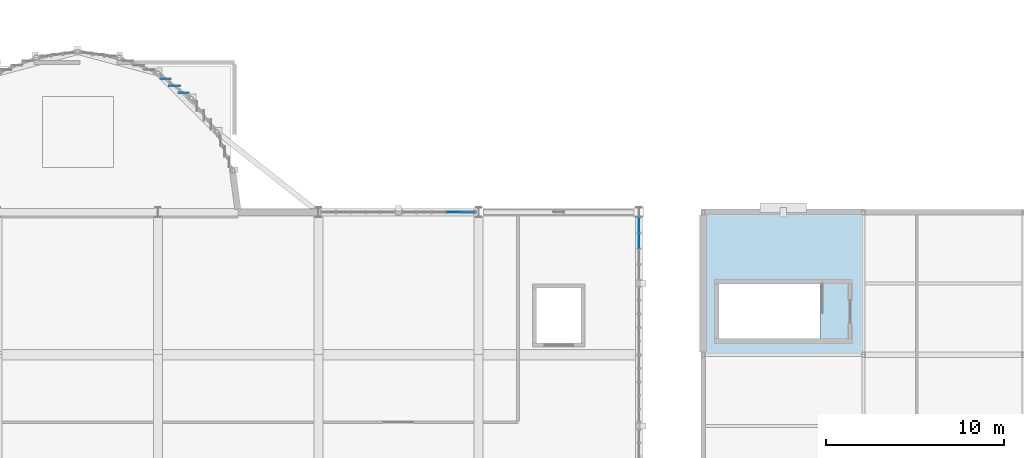
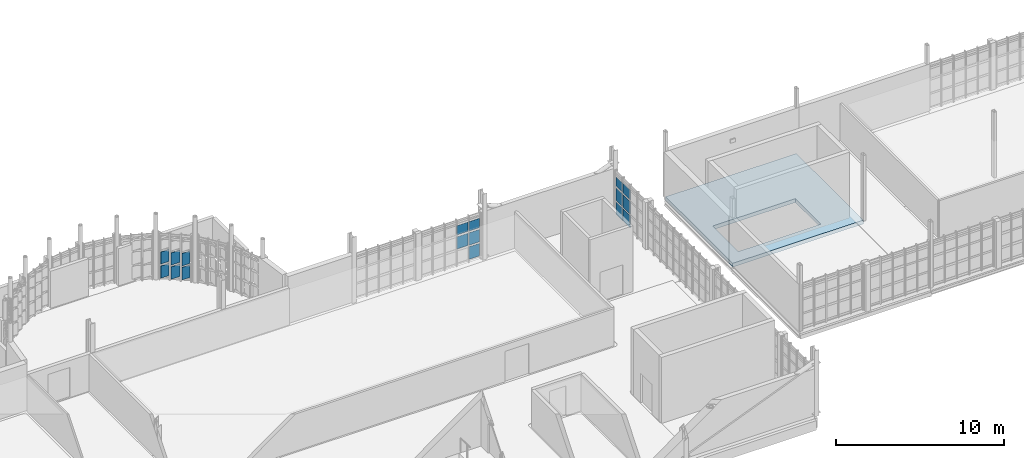
# One storey, part 93 of 128: 17 plates, 1 slab, 3 elements without a shape of their own.
"""IFC4 building model written with IfcOpenShell, lengths in metres."""

from ifc_helpers import new_model, si_unit, direction, frame, origin, origin_2d, place, context, subcontext, project, spatial, polyline, rectangle, outline, extrude, material, layer, layer_set, type_object, element, aggregate, save


model = new_model("IFC4")

# Units and contexts
model_context = context("Model", 3, precision=1e-05, world=origin(), true_north=direction((0.0, 1.0)))
body_context = subcontext(model_context, "Body", "Model", "MODEL_VIEW")
ifc_project = project(units=[si_unit("LENGTHUNIT", "METRE"), si_unit("AREAUNIT", "SQUARE_METRE"), si_unit("VOLUMEUNIT", "CUBIC_METRE"), si_unit("PLANEANGLEUNIT", "RADIAN"), si_unit("MASSUNIT", "GRAM", prefix="KILO")], contexts=[model_context])

# Site, building, storey
site_placement = place(None, origin())
site = spatial("IfcSite", under=ifc_project, at=site_placement, CompositionType="ELEMENT")
building_placement = place(site_placement, origin())
building = spatial("IfcBuilding", under=site, at=building_placement, Name="Serraforn Aerial Cableway Station", CompositionType="ELEMENT")
storey_placement = place(building_placement, frame((0.0, 0.0, 9.0)))
storey = spatial("IfcBuildingStorey", under=building, at=storey_placement, Name="L02", CompositionType="ELEMENT", Elevation=9.0)

# Curtain wall, plate
ifc_material_1 = material(Name="Anodised bronze unitised curtain wall")
curtain_wall_type_1 = type_object("IfcCurtainWallType", Name="CW-SYS-25", PredefinedType="USERDEFINED", material=ifc_material_1)
curtain_wall_1_placement = place(storey_placement, origin())
curtain_wall_1 = element("IfcCurtainWall", 1, at=curtain_wall_1_placement, inside=storey, type_object=curtain_wall_type_1, Name="Unitised Curtain Wall CW-CV-L02-N6A", ObjectType="UNITISED CURTAIN WALL", PredefinedType="USERDEFINED")
ifc_material_2 = material(Name="Solar-control low-E double glazing", Category="glass")
ifc_layer_1 = layer(ifc_material_2, 0.02587890625)
ifc_layer_set_1 = layer_set([ifc_layer_1], Name="Solar-control low-E double glazing")
plate_type_1 = type_object("IfcPlateType", Name="CW-GLZ-1", PredefinedType="CURTAIN_PANEL", material=ifc_layer_set_1)
plate_1_placement = place(storey_placement, frame((80.20166015625, 42.0, 2.26171875), z_axis=(0.0, 0.0, 1.0), x_axis=(1.0, 0.0, 0.0)))
plate_1 = element("IfcPlate", 2, at=plate_1_placement, type_object=plate_type_1, Name="Curtain Wall Panel CW-CV-L02-N6A-P2-3", PredefinedType="CURTAIN_PANEL", context=body_context, shape_type="SweptSolid", body=[
    extrude(rectangle(XDim=0.781005859375, YDim=0.02587890625, at=origin_2d()), origin(), (0.0, 0.0, 1.0), 0.667236328125),
])

# Curtain wall, plates
curtain_wall_type_2 = type_object("IfcCurtainWallType", Name="CW-SYS-4", PredefinedType="USERDEFINED", material=ifc_material_1)
curtain_wall_2_placement = place(storey_placement, origin())
curtain_wall_2 = element("IfcCurtainWall", 3, at=curtain_wall_2_placement, inside=storey, type_object=curtain_wall_type_2, Name="Unitised Curtain Wall CW-CV-L02-E3B", ObjectType="UNITISED CURTAIN WALL", PredefinedType="USERDEFINED")
plate_2_placement = place(storey_placement, frame((90.60009765625, 40.3955078125, 2.246826171875), z_axis=(0.0, 0.0, 1.0), x_axis=(1.0, 0.0, 0.0)))
plate_2 = element("IfcPlate", 4, at=plate_2_placement, type_object=plate_type_1, Name="Curtain Wall Panel CW-CV-L02-E3B-P3-3", PredefinedType="CURTAIN_PANEL", context=body_context, shape_type="SweptSolid", body=[
    extrude(rectangle(XDim=0.02587890625, YDim=0.818115234375, at=origin_2d()), origin(), (0.0, 0.0, 1.0), 0.697265625),
])
plate_3_placement = place(storey_placement, frame((90.60009765625, 41.27490234375, 1.220703125), z_axis=(0.0, 0.0, 1.0), x_axis=(1.0, 0.0, 0.0)))
plate_3 = element("IfcPlate", 5, at=plate_3_placement, type_object=plate_type_1, Name="Curtain Wall Panel CW-CV-L02-E3B-P4-2", PredefinedType="CURTAIN_PANEL", context=body_context, shape_type="SweptSolid", body=[
    extrude(rectangle(XDim=0.02587890625, YDim=0.798095703125, at=origin_2d()), origin(), (0.0, 0.0, 1.0), 0.902587890625),
])
ifc_layer_2 = layer(ifc_material_2, 0.028076171875)
ifc_layer_set_2 = layer_set([ifc_layer_2], Name="Solar-control low-E double glazing")
plate_type_2 = type_object("IfcPlateType", Name="CW-GLZ-2", PredefinedType="CURTAIN_PANEL", material=ifc_layer_set_2)
plate_4_placement = place(storey_placement, frame((90.60009765625, 41.27490234375, 2.25439453125), z_axis=(0.0, 0.0, 1.0), x_axis=(1.0, 0.0, 0.0)))
plate_4 = element("IfcPlate", 6, at=plate_4_placement, type_object=plate_type_2, Name="Curtain Wall Panel CW-CV-L02-E3B-P4-3", PredefinedType="CURTAIN_PANEL", context=body_context, shape_type="SweptSolid", body=[
    extrude(rectangle(XDim=0.028076171875, YDim=0.798095703125, at=origin_2d()), origin(), (0.0, 0.0, 1.0), 0.682373046875),
])

# Curtain wall, plate
curtain_wall_type_3 = type_object("IfcCurtainWallType", Name="CW-SYS-12", PredefinedType="USERDEFINED", material=ifc_material_1)
curtain_wall_3_placement = place(storey_placement, origin())
curtain_wall_3 = element("IfcCurtainWall", 7, at=curtain_wall_3_placement, inside=storey, type_object=curtain_wall_type_3, Name="Unitised Curtain Wall CW-AP-L02-R9", ObjectType="UNITISED CURTAIN WALL", PredefinedType="USERDEFINED")
ifc_layer_3 = layer(ifc_material_2, 0.033935546875)
ifc_layer_set_3 = layer_set([ifc_layer_3], Name="Solar-control low-E double glazing")
plate_type_3 = type_object("IfcPlateType", Name="CW-GLZ-5", PredefinedType="CURTAIN_PANEL", material=ifc_layer_set_3)
plate_5_placement = place(storey_placement, frame((65.0341796875, 48.693603515625, 0.189697265625), z_axis=(0.0, 0.0, 1.0), x_axis=(1.0, 0.0, 0.0)))
plate_5 = element("IfcPlate", 8, at=plate_5_placement, type_object=plate_type_3, Name="Curtain Wall Panel CW-AP-L02-R9-P1-1", PredefinedType="CURTAIN_PANEL", context=body_context, shape_type="SweptSolid", body=[
    extrude(rectangle(XDim=0.558349609375, YDim=0.033935546875, at=origin_2d()), origin(), (0.0, 0.0, 1.0), 0.9150390625),
])

# Plate
ifc_layer_4 = layer(ifc_material_2, 0.035888671875)
ifc_layer_set_4 = layer_set([ifc_layer_4], Name="Solar-control low-E double glazing")
plate_type_4 = type_object("IfcPlateType", Name="CW-GLZ-6", PredefinedType="CURTAIN_PANEL", material=ifc_layer_set_4)
plate_6_placement = place(storey_placement, frame((81.010986328125, 42.0, 0.189697265625), z_axis=(0.0, 0.0, 1.0), x_axis=(1.0, 0.0, 0.0)))
plate_6 = element("IfcPlate", 9, at=plate_6_placement, type_object=plate_type_4, Name="Curtain Wall Panel CW-CV-L02-N6A-P1-1", PredefinedType="CURTAIN_PANEL", context=body_context, shape_type="SweptSolid", body=[
    extrude(rectangle(XDim=0.73583984375, YDim=0.035888671875, at=origin_2d()), origin(), (0.0, 0.0, 1.0), 0.9150390625),
])

plate_7_placement = place(storey_placement, frame((65.0341796875, 48.693603515625, 1.220703125), z_axis=(0.0, 0.0, 1.0), x_axis=(1.0, 0.0, 0.0)))
plate_7 = element("IfcPlate", 10, at=plate_7_placement, type_object=plate_type_4, Name="Curtain Wall Panel CW-AP-L02-R9-P1-2", PredefinedType="CURTAIN_PANEL", context=body_context, shape_type="SweptSolid", body=[
    extrude(rectangle(XDim=0.558349609375, YDim=0.035888671875, at=origin_2d()), origin(), (0.0, 0.0, 1.0), 0.902587890625),
])

plate_8_placement = place(storey_placement, frame((64.532958984375, 49.078369140625, 0.19482421875), z_axis=(0.0, 0.0, 1.0), x_axis=(1.0, 0.0, 0.0)))
plate_8 = element("IfcPlate", 11, at=plate_8_placement, type_object=plate_type_4, Name="Curtain Wall Panel CW-AP-L02-R9-P2-1", PredefinedType="CURTAIN_PANEL", context=body_context, shape_type="SweptSolid", body=[
    extrude(rectangle(XDim=0.603515625, YDim=0.035888671875, at=origin_2d()), origin(), (0.0, 0.0, 1.0), 0.902587890625),
])

ifc_layer_5 = layer(ifc_material_2, 0.029052734375)
ifc_layer_set_5 = layer_set([ifc_layer_5], Name="Solar-control low-E double glazing")
plate_type_5 = type_object("IfcPlateType", Name="CW-GLZ-7", PredefinedType="CURTAIN_PANEL", material=ifc_layer_set_5)
plate_9_placement = place(storey_placement, frame((81.010986328125, 42.0, 1.220703125), z_axis=(0.0, 0.0, 1.0), x_axis=(1.0, 0.0, 0.0)))
plate_9 = element("IfcPlate", 12, at=plate_9_placement, type_object=plate_type_5, Name="Curtain Wall Panel CW-CV-L02-N6A-P1-2", PredefinedType="CURTAIN_PANEL", context=body_context, shape_type="SweptSolid", body=[
    extrude(rectangle(XDim=0.73583984375, YDim=0.029052734375, at=origin_2d()), origin(), (0.0, 0.0, 1.0), 0.902587890625),
])

plate_10_placement = place(storey_placement, frame((90.60009765625, 40.3955078125, 0.21728515625), z_axis=(0.0, 0.0, 1.0), x_axis=(1.0, 0.0, 0.0)))
plate_10 = element("IfcPlate", 13, at=plate_10_placement, type_object=plate_type_5, Name="Curtain Wall Panel CW-CV-L02-E3B-P3-1", PredefinedType="CURTAIN_PANEL", context=body_context, shape_type="SweptSolid", body=[
    extrude(rectangle(XDim=0.029052734375, YDim=0.818115234375, at=origin_2d()), origin(), (0.0, 0.0, 1.0), 0.892578125),
])

plate_11_placement = place(storey_placement, frame((64.532958984375, 49.078369140625, 1.228515625), z_axis=(0.0, 0.0, 1.0), x_axis=(1.0, 0.0, 0.0)))
plate_11 = element("IfcPlate", 14, at=plate_11_placement, type_object=plate_type_5, Name="Curtain Wall Panel CW-AP-L02-R9-P2-2", PredefinedType="CURTAIN_PANEL", context=body_context, shape_type="SweptSolid", body=[
    extrude(rectangle(XDim=0.603515625, YDim=0.029052734375, at=origin_2d()), origin(), (0.0, 0.0, 1.0), 0.887451171875),
])

plate_12_placement = place(storey_placement, frame((64.02490234375, 49.46826171875, 0.2021484375), z_axis=(0.0, 0.0, 1.0), x_axis=(1.0, 0.0, 0.0)))
plate_12 = element("IfcPlate", 15, at=plate_12_placement, type_object=plate_type_5, Name="Curtain Wall Panel CW-AP-L02-R9-P3-1", PredefinedType="CURTAIN_PANEL", context=body_context, shape_type="SweptSolid", body=[
    extrude(rectangle(XDim=0.56591796875, YDim=0.029052734375, at=origin_2d()), origin(), (0.0, 0.0, 1.0), 0.887451171875),
])

ifc_layer_6 = layer(ifc_material_2, 0.031005859375)
ifc_layer_set_6 = layer_set([ifc_layer_6], Name="Solar-control low-E double glazing")
plate_type_6 = type_object("IfcPlateType", Name="CW-GLZ-8", PredefinedType="CURTAIN_PANEL", material=ifc_layer_set_6)
plate_13_placement = place(storey_placement, frame((81.010986328125, 42.0, 2.25439453125), z_axis=(0.0, 0.0, 1.0), x_axis=(1.0, 0.0, 0.0)))
plate_13 = element("IfcPlate", 16, at=plate_13_placement, type_object=plate_type_6, Name="Curtain Wall Panel CW-CV-L02-N6A-P1-3", PredefinedType="CURTAIN_PANEL", context=body_context, shape_type="SweptSolid", body=[
    extrude(rectangle(XDim=0.73583984375, YDim=0.031005859375, at=origin_2d()), origin(), (0.0, 0.0, 1.0), 0.682373046875),
])

plate_14_placement = place(storey_placement, frame((80.20166015625, 42.0, 1.228515625), z_axis=(0.0, 0.0, 1.0), x_axis=(1.0, 0.0, 0.0)))
plate_14 = element("IfcPlate", 17, at=plate_14_placement, type_object=plate_type_6, Name="Curtain Wall Panel CW-CV-L02-N6A-P2-2", PredefinedType="CURTAIN_PANEL", context=body_context, shape_type="SweptSolid", body=[
    extrude(rectangle(XDim=0.781005859375, YDim=0.031005859375, at=origin_2d()), origin(), (0.0, 0.0, 1.0), 0.887451171875),
])

aggregate(curtain_wall_1, [plate_6, plate_9, plate_13, plate_14, plate_1])

plate_15_placement = place(storey_placement, frame((90.60009765625, 40.3955078125, 1.2158203125), z_axis=(0.0, 0.0, 1.0), x_axis=(1.0, 0.0, 0.0)))
plate_15 = element("IfcPlate", 18, at=plate_15_placement, type_object=plate_type_6, Name="Curtain Wall Panel CW-CV-L02-E3B-P3-2", PredefinedType="CURTAIN_PANEL", context=body_context, shape_type="SweptSolid", body=[
    extrude(rectangle(XDim=0.031005859375, YDim=0.818115234375, at=origin_2d()), origin(), (0.0, 0.0, 1.0), 0.9150390625),
])

plate_16_placement = place(storey_placement, frame((90.60009765625, 41.27490234375, 0.189697265625), z_axis=(0.0, 0.0, 1.0), x_axis=(1.0, 0.0, 0.0)))
plate_16 = element("IfcPlate", 19, at=plate_16_placement, type_object=plate_type_6, Name="Curtain Wall Panel CW-CV-L02-E3B-P4-1", PredefinedType="CURTAIN_PANEL", context=body_context, shape_type="SweptSolid", body=[
    extrude(rectangle(XDim=0.031005859375, YDim=0.798095703125, at=origin_2d()), origin(), (0.0, 0.0, 1.0), 0.9150390625),
])

aggregate(curtain_wall_2, [plate_10, plate_15, plate_2, plate_16, plate_3, plate_4])

plate_17_placement = place(storey_placement, frame((64.02490234375, 49.46826171875, 1.23583984375), z_axis=(0.0, 0.0, 1.0), x_axis=(1.0, 0.0, 0.0)))
plate_17 = element("IfcPlate", 20, at=plate_17_placement, type_object=plate_type_6, Name="Curtain Wall Panel CW-AP-L02-R9-P3-2", PredefinedType="CURTAIN_PANEL", context=body_context, shape_type="SweptSolid", body=[
    extrude(rectangle(XDim=0.56591796875, YDim=0.031005859375, at=origin_2d()), origin(), (0.0, 0.0, 1.0), 0.87255859375),
])

aggregate(curtain_wall_3, [plate_5, plate_7, plate_8, plate_11, plate_12, plate_17])

# Slab
ifc_material_3 = material(Name="Concrete C35/45", Category="concrete")
ifc_layer_7 = layer(ifc_material_3, 0.27490234375)
ifc_layer_set_7 = layer_set([ifc_layer_7], Name="Concrete C35/45")
slab_type = type_object("IfcSlabType", Name="SLB-FLR-275", PredefinedType="FLOOR", material=ifc_layer_set_7)
slab_placement = place(storey_placement, frame((0.0, 0.0, -0.27490234375)))
element("IfcSlab", 21, at=slab_placement, inside=storey, type_object=slab_type, Name="Floor Slab EL-L02-1-2", PredefinedType="FLOOR", context=body_context, shape_type="SweptSolid", body=[
    extrude(outline(polyline([(94.199951171875, 34.0), (103.199951171875, 34.0), (103.199951171875, 42.0), (94.199951171875, 42.0), (94.199951171875, 34.0)]), holes=[polyline([(100.800048828125, 37.9599609375), (95.10009765625, 37.9599609375), (95.10009765625, 34.89990234375), (100.800048828125, 34.89990234375), (100.800048828125, 37.9599609375)])]), origin(), (0.0, 0.0, 1.0), 0.27490234375),
])

save(model, "model.ifc")
